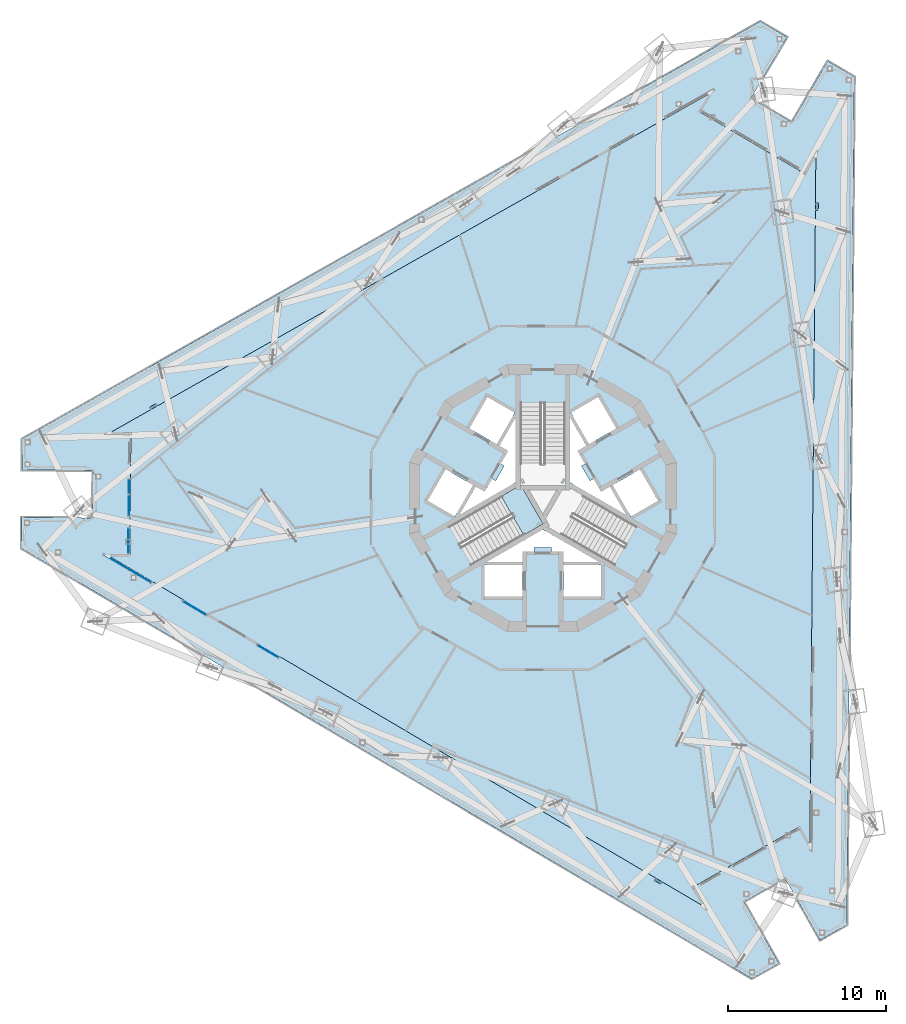
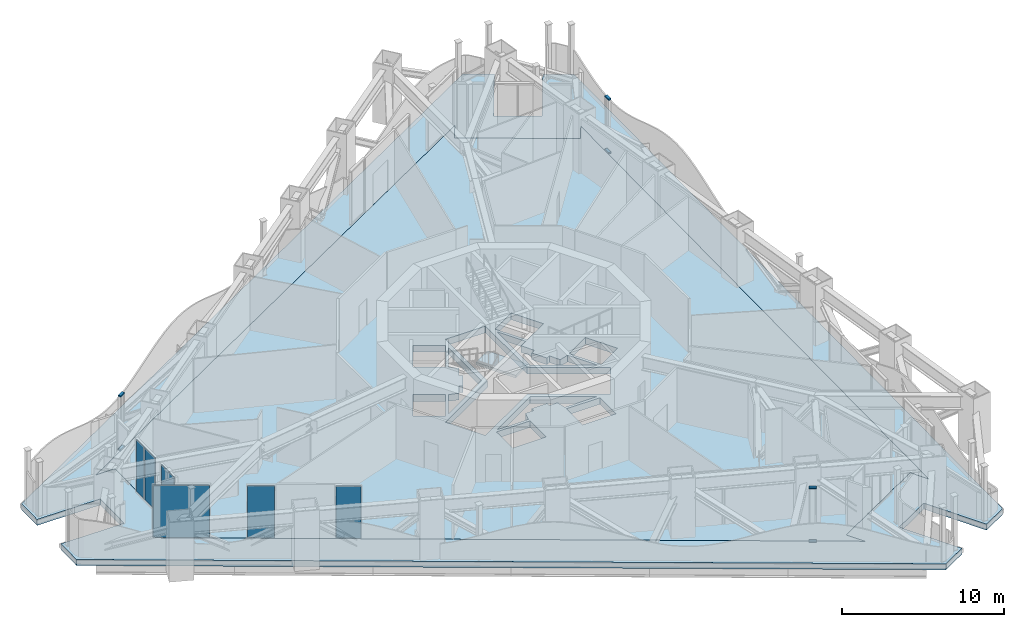
# One storey, part 8 of 27: 6 members, 6 plates, 3 slabs, 9 elements without a shape of their own.
"""IFC4 building model written with IfcOpenShell, lengths in metres."""

from ifc_helpers import new_model, si_unit, direction, frame, origin, origin_2d, place, context, subcontext, project, spatial, polyline, rectangle, outline, extrude, material, layer, layer_set, material_profile, profile_set, type_object, element, aggregate, save


model = new_model("IFC4")

# Units and contexts
model_context = context("Model", 3, precision=1e-05, world=origin(), true_north=direction((0.0, 1.0)))
body_context = subcontext(model_context, "Body", "Model", "MODEL_VIEW")
ifc_project = project(units=[si_unit("LENGTHUNIT", "METRE"), si_unit("AREAUNIT", "SQUARE_METRE"), si_unit("VOLUMEUNIT", "CUBIC_METRE"), si_unit("PLANEANGLEUNIT", "RADIAN"), si_unit("MASSUNIT", "GRAM", prefix="KILO")], contexts=[model_context])

# Site, building, storey
site_placement = place(None, origin())
site = spatial("IfcSite", under=ifc_project, at=site_placement, CompositionType="ELEMENT")
building_placement = place(site_placement, origin())
building = spatial("IfcBuilding", under=site, at=building_placement, Name="Trine Commons Tower", CompositionType="ELEMENT")
storey_placement = place(building_placement, frame((0.0, 0.0, 193.5)))
storey = spatial("IfcBuildingStorey", under=building, at=storey_placement, Name="L50", CompositionType="ELEMENT", Elevation=193.5)

# Curtain wall, members
ifc_material_1 = material(Name="Sky lounge glazing: anodised aluminium frame with low-emissivity double glazed unit, solar control", Category="aluminium")
ifc_layer_1 = layer(ifc_material_1, 0.179931640625)
ifc_layer_set_1 = layer_set([ifc_layer_1], Name="Sky lounge glazing: anodised aluminium frame with low-emissivity double glazed unit, solar control")
curtain_wall_type = type_object("IfcCurtainWallType", Name="Sky lounge glazing curtain wall CW5", PredefinedType="NOTDEFINED", material=ifc_layer_set_1)
curtain_wall_1_placement = place(storey_placement, origin())
curtain_wall_1 = element("IfcCurtainWall", 1, at=curtain_wall_1_placement, inside=storey, type_object=curtain_wall_type, Name="Sky lounge glazing L50 F1.1", PredefinedType="NOTDEFINED")
ifc_material_2 = material(Name="Anodised aluminium, bronze finish", Category="aluminium")
ifc_material_profile = material_profile(ifc_material_2, rectangle(XDim=0.179931640625, YDim=0.110107421875, at=origin_2d()), Name="Transom 110x180")
ifc_profile_set = profile_set([ifc_material_profile], Name="Anodised aluminium, bronze finish")
member_type = type_object("IfcMemberType", Name="Transom 110x180, Anodised aluminium, bronze finish", PredefinedType="USERDEFINED", material=ifc_profile_set)
member_1_placement = place(storey_placement, frame((55.087890625, 68.19921875, 0.054931640625), z_axis=(0.870475610061, 0.492211552372, 0.0), x_axis=(-0.492211552372, 0.870475610061, 0.0)))
member_1 = element("IfcMember", 2, at=member_1_placement, type_object=member_type, Name="CW5 transom T00", ObjectType="TRANSOM", PredefinedType="USERDEFINED", context=body_context, shape_type="SweptSolid", body=[
    extrude(rectangle(XDim=0.179931640625, YDim=0.110107421875, at=origin_2d()), origin(), (0.0, 0.0, 1.0), 0.46923828125),
])
member_2_placement = place(storey_placement, frame((55.087890625, 68.19921875, 4.094970703125), z_axis=(0.870475610061, 0.492211552372, 0.0), x_axis=(-0.492211552372, 0.870475610061, 0.0)))
member_2 = element("IfcMember", 3, at=member_2_placement, type_object=member_type, Name="CW5 transom TH00", ObjectType="TRANSOM", PredefinedType="USERDEFINED", context=body_context, shape_type="SweptSolid", body=[
    extrude(rectangle(XDim=0.179931640625, YDim=0.110107421875, at=origin_2d()), origin(), (0.0, 0.0, 1.0), 0.46923828125),
])
aggregate(curtain_wall_1, [member_1, member_2])

curtain_wall_2_placement = place(storey_placement, origin())
curtain_wall_2 = element("IfcCurtainWall", 4, at=curtain_wall_2_placement, inside=storey, type_object=curtain_wall_type, Name="Sky lounge glazing L50 F2.1", PredefinedType="NOTDEFINED")
member_3_placement = place(storey_placement, frame((97.3916015625, 81.22509765625, 0.054931640625), z_axis=(-0.008840008189, -0.999960926364, 0.0), x_axis=(0.999960926364, -0.008840008189, 0.0)))
member_3 = element("IfcMember", 5, at=member_3_placement, type_object=member_type, Name="CW5 transom T00", ObjectType="TRANSOM", PredefinedType="USERDEFINED", context=body_context, shape_type="SweptSolid", body=[
    extrude(rectangle(XDim=0.179931640625, YDim=0.110107421875, at=origin_2d()), origin(), (0.0, 0.0, 1.0), 0.469482421875),
])
member_4_placement = place(storey_placement, frame((97.3916015625, 81.22509765625, 4.094970703125), z_axis=(-0.008840008189, -0.999960926364, 0.0), x_axis=(0.999960926364, -0.008840008189, 0.0)))
member_4 = element("IfcMember", 6, at=member_4_placement, type_object=member_type, Name="CW5 transom TH00", ObjectType="TRANSOM", PredefinedType="USERDEFINED", context=body_context, shape_type="SweptSolid", body=[
    extrude(rectangle(XDim=0.179931640625, YDim=0.110107421875, at=origin_2d()), origin(), (0.0, 0.0, 1.0), 0.469482421875),
])
aggregate(curtain_wall_2, [member_3, member_4])

curtain_wall_3_placement = place(storey_placement, origin())
curtain_wall_3 = element("IfcCurtainWall", 7, at=curtain_wall_3_placement, inside=storey, type_object=curtain_wall_type, Name="Sky lounge glazing L50 F3.1", PredefinedType="NOTDEFINED")
member_5_placement = place(storey_placement, frame((87.5205078125, 38.075927734375, 0.054931640625), z_axis=(-0.861505952902, 0.507747469826, 0.0), x_axis=(-0.507747469826, -0.861505952902, 0.0)))
member_5 = element("IfcMember", 8, at=member_5_placement, type_object=member_type, Name="CW5 transom T00", ObjectType="TRANSOM", PredefinedType="USERDEFINED", context=body_context, shape_type="SweptSolid", body=[
    extrude(rectangle(XDim=0.179931640625, YDim=0.110107421875, at=origin_2d()), origin(), (0.0, 0.0, 1.0), 0.46923828125),
])
member_6_placement = place(storey_placement, frame((87.5205078125, 38.075927734375, 4.094970703125), z_axis=(-0.861505952902, 0.507747469826, 0.0), x_axis=(-0.507747469826, -0.861505952902, 0.0)))
member_6 = element("IfcMember", 9, at=member_6_placement, type_object=member_type, Name="CW5 transom TH00", ObjectType="TRANSOM", PredefinedType="USERDEFINED", context=body_context, shape_type="SweptSolid", body=[
    extrude(rectangle(XDim=0.179931640625, YDim=0.110107421875, at=origin_2d()), origin(), (0.0, 0.0, 1.0), 0.46923828125),
])
aggregate(curtain_wall_3, [member_5, member_6])

# Curtain wall, plate
curtain_wall_4_placement = place(storey_placement, origin())
curtain_wall_4 = element("IfcCurtainWall", 10, at=curtain_wall_4_placement, inside=storey, type_object=curtain_wall_type, Name="Sky lounge glazing L50 P1.1", PredefinedType="NOTDEFINED")
ifc_material_3 = material(Name="Low-emissivity double glazed unit, solar control")
ifc_layer_2 = layer(ifc_material_3, 0.031982421875)
ifc_layer_set_2 = layer_set([ifc_layer_2], Name="Low-emissivity double glazed unit, solar control")
plate_type = type_object("IfcPlateType", Name="Double glazed unit 32 mm (sky floors)", PredefinedType="CURTAIN_PANEL", material=ifc_layer_set_2)
plate_1_placement = place(storey_placement, frame((53.710205078125, 59.796142578125, 0.10986328125), z_axis=(0.0, 0.0, 1.0), x_axis=(0.008726535498, 0.999961923064, 0.0)))
plate_1 = element("IfcPlate", 11, at=plate_1_placement, type_object=plate_type, Name="CW5 panel 1.1", PredefinedType="CURTAIN_PANEL", context=body_context, shape_type="SweptSolid", body=[
    extrude(rectangle(XDim=1.58349609375, YDim=0.031982421875, at=origin_2d()), origin(), (0.0, 0.0, 1.0), 3.929931640625),
])
aggregate(curtain_wall_4, [plate_1])

# Curtain wall, plates
curtain_wall_5_placement = place(storey_placement, origin())
curtain_wall_5 = element("IfcCurtainWall", 12, at=curtain_wall_5_placement, inside=storey, type_object=curtain_wall_type, Name="Sky lounge glazing L50 P1.2", PredefinedType="NOTDEFINED")
plate_2_placement = place(storey_placement, frame((53.72998046875, 62.034423828125, 0.10986328125), z_axis=(0.0, 0.0, 1.0), x_axis=(0.008726535498, 0.999961923064, 0.0)))
plate_2 = element("IfcPlate", 13, at=plate_2_placement, type_object=plate_type, Name="CW5 panel 1.1", PredefinedType="CURTAIN_PANEL", context=body_context, shape_type="SweptSolid", body=[
    extrude(rectangle(XDim=1.314453125, YDim=0.031982421875, at=origin_2d()), origin(), (0.0, 0.0, 1.0), 3.929931640625),
])
plate_3_placement = place(storey_placement, frame((53.740234375, 63.23291015625, 0.10986328125), z_axis=(0.0, 0.0, 1.0), x_axis=(0.008726535498, 0.999961923064, 0.0)))
plate_3 = element("IfcPlate", 14, at=plate_3_placement, type_object=plate_type, Name="CW5 panel 2.1", PredefinedType="CURTAIN_PANEL", context=body_context, shape_type="SweptSolid", body=[
    extrude(rectangle(XDim=0.9326171875, YDim=0.031982421875, at=origin_2d()), origin(), (0.0, 0.0, 1.0), 3.929931640625),
])
aggregate(curtain_wall_5, [plate_2, plate_3])

# Curtain wall, plate
curtain_wall_6_placement = place(storey_placement, origin())
curtain_wall_6 = element("IfcCurtainWall", 15, at=curtain_wall_6_placement, inside=storey, type_object=curtain_wall_type, Name="Sky lounge glazing L50 F3.2", PredefinedType="NOTDEFINED")
plate_4_placement = place(storey_placement, frame((62.556396484375, 52.781005859375, 0.10986328125), z_axis=(0.0, 0.0, 1.0), x_axis=(-0.861629160442, 0.507538362961, 0.0)))
plate_4 = element("IfcPlate", 16, at=plate_4_placement, type_object=plate_type, Name="CW5 panel 1.1", PredefinedType="CURTAIN_PANEL", context=body_context, shape_type="SweptSolid", body=[
    extrude(rectangle(XDim=1.5390625, YDim=0.031982421875, at=origin_2d()), origin(), (0.0, 0.0, 1.0), 3.929931640625),
])
aggregate(curtain_wall_6, [plate_4])

curtain_wall_7_placement = place(storey_placement, origin())
curtain_wall_7 = element("IfcCurtainWall", 17, at=curtain_wall_7_placement, inside=storey, type_object=curtain_wall_type, Name="Sky lounge glazing L50 F3.3", PredefinedType="NOTDEFINED")
plate_5_placement = place(storey_placement, frame((57.893798828125, 55.52734375, 0.10986328125), z_axis=(0.0, 0.0, 1.0), x_axis=(-0.861629160442, 0.507538362961, 0.0)))
plate_5 = element("IfcPlate", 18, at=plate_5_placement, type_object=plate_type, Name="CW5 panel 1.1", PredefinedType="CURTAIN_PANEL", context=body_context, shape_type="SweptSolid", body=[
    extrude(rectangle(XDim=1.688720703125, YDim=0.031982421875, at=origin_2d()), origin(), (0.0, 0.0, 1.0), 3.929931640625),
])
aggregate(curtain_wall_7, [plate_5])

curtain_wall_8_placement = place(storey_placement, origin())
curtain_wall_8 = element("IfcCurtainWall", 19, at=curtain_wall_8_placement, inside=storey, type_object=curtain_wall_type, Name="Sky lounge glazing L50 F3.4", PredefinedType="NOTDEFINED")
plate_6_placement = place(storey_placement, frame((53.64599609375, 58.029541015625, 0.10986328125), z_axis=(0.0, 0.0, 1.0), x_axis=(-0.861629160442, 0.507538362961, 0.0)))
plate_6 = element("IfcPlate", 20, at=plate_6_placement, type_object=plate_type, Name="CW5 panel 1.1", PredefinedType="CURTAIN_PANEL", context=body_context, shape_type="SweptSolid", body=[
    extrude(rectangle(XDim=3.48583984375, YDim=0.031982421875, at=origin_2d()), origin(), (0.0, 0.0, 1.0), 3.929931640625),
])
aggregate(curtain_wall_8, [plate_6])

# Slab
ifc_material_4 = material(Name="Concrete C40/50", Category="concrete")
ifc_layer_3 = layer(ifc_material_4, 0.449951171875)
ifc_layer_set_3 = layer_set([ifc_layer_3], Name="Concrete C40/50")
slab_type_1 = type_object("IfcSlabType", Name="Loggia slab 450 mm, C40/50", PredefinedType="FLOOR", material=ifc_layer_set_3)
slab_1_placement = place(storey_placement, frame((0.0, 0.0, -0.449951171875)))
element("IfcSlab", 21, at=slab_1_placement, inside=storey, type_object=slab_type_1, Name="Loggia slab L50", PredefinedType="FLOOR", context=body_context, shape_type="SweptSolid", body=[
    extrude(outline(polyline([(99.302001953125, 35.418701171875), (99.771484375, 89.240234375), (98.079345703125, 90.237060546875), (95.79541015625, 86.35986328125), (93.21044921875, 87.88232421875), (95.494384765625, 91.759765625), (93.802001953125, 92.756591796875), (46.956298828125, 66.252685546875), (46.939208984375, 64.28857421875), (51.439208984375, 64.249267578125), (51.412841796875, 61.24951171875), (46.9130859375, 61.288818359375), (46.89599609375, 59.32470703125), (93.27197265625, 32.007080078125), (94.9814453125, 32.974365234375), (92.765380859375, 36.890869140625), (95.376708984375, 38.3681640625), (97.592529296875, 34.45166015625), (99.302001953125, 35.418701171875)]), holes=[polyline([(90.156982421875, 36.627197265625), (89.494873046875, 37.7978515625), (96.28369140625, 41.638916015625), (96.94580078125, 40.46826171875), (97.327880859375, 84.232666015625), (96.645263671875, 83.07373046875), (89.924560546875, 87.03271484375), (90.607177734375, 88.19140625), (52.514892578125, 66.639892578125), (53.860107421875, 66.62841796875), (53.7919921875, 58.82861328125), (52.447021484375, 58.84033203125), (90.156982421875, 36.627197265625)])]), origin(), (0.0, 0.0, 1.0), 0.449951171875),
])

# Stair, slab
ifc_material_5 = material(Name="Concrete C50/60", Category="concrete")
stair_type = type_object("IfcStairType", Name="Exit stair, dog-leg, 30 risers of 150 mm", PredefinedType="HALF_TURN_STAIR", material=ifc_material_5)
stair_placement = place(storey_placement, origin())
stair = element("IfcStair", 22, at=stair_placement, inside=storey, type_object=stair_type, Name="L50 Exit stair ST2C", PredefinedType="HALF_TURN_STAIR")
ifc_layer_4 = layer(ifc_material_5, 0.199951171875)
ifc_layer_set_4 = layer_set([ifc_layer_4], Name="Concrete C50/60")
slab_type_2 = type_object("IfcSlabType", Name="Stair landing slab 200 mm, C50/60", PredefinedType="LANDING", material=ifc_layer_set_4)
slab_2_placement = place(storey_placement, frame((0.0, 0.0, 2.050048828125)))
slab_2 = element("IfcSlab", 23, at=slab_2_placement, type_object=slab_type_2, Name="ST2C landing 1", PredefinedType="LANDING", context=body_context, shape_type="SweptSolid", body=[
    extrude(outline(polyline([(78.78076171875, 60.150634765625), (80.019287109375, 60.86572265625), (78.59423828125, 63.333740234375), (77.355712890625, 62.618896484375), (78.78076171875, 60.150634765625)])), origin(), (0.0, 0.0, 1.0), 0.199951171875),
])
aggregate(stair, [slab_2])

# Slab
ifc_layer_5 = layer(ifc_material_4, 0.5)
ifc_layer_set_5 = layer_set([ifc_layer_5], Name="Concrete C40/50")
slab_type_3 = type_object("IfcSlabType", Name="Transfer floor slab 500 mm, C40/50", PredefinedType="FLOOR", material=ifc_layer_set_5)
slab_3_placement = place(storey_placement, frame((0.0, 0.0, -0.5)))
element("IfcSlab", 24, at=slab_3_placement, inside=storey, type_object=slab_type_3, Name="Floor slab L50", PredefinedType="FLOOR", context=body_context, shape_type="SweptSolid", body=[
    extrude(outline(polyline([(52.447021484375, 58.84033203125), (90.156982421875, 36.627197265625), (89.494873046875, 37.7978515625), (96.28369140625, 41.638916015625), (96.94580078125, 40.46826171875), (97.327880859375, 84.232666015625), (96.645263671875, 83.07373046875), (89.924560546875, 87.03271484375), (90.607177734375, 88.19140625), (52.514892578125, 66.639892578125), (53.860107421875, 66.62841796875), (53.7919921875, 58.82861328125), (52.447021484375, 58.84033203125)]), holes=[polyline([(78.699951171875, 56.25), (78.699951171875, 58.25), (76.300048828125, 58.25), (76.300048828125, 56.25), (78.699951171875, 56.25)]), polyline([(80.0, 60.8544921875), (84.4755859375, 58.2705078125), (85.900390625, 60.73876953125), (81.425048828125, 63.32275390625), (81.425048828125, 68.490478515625), (78.574951171875, 68.490478515625), (78.574951171875, 63.32275390625), (74.099609375, 60.73876953125), (75.5244140625, 58.2705078125), (80.0, 60.8544921875)]), polyline([(73.83740234375, 64.325927734375), (72.687255859375, 62.333984375), (74.41943359375, 61.333984375), (75.5693359375, 63.325927734375), (73.83740234375, 64.325927734375)]), polyline([(76.381103515625, 63.031005859375), (75.742919921875, 63.22607421875), (74.7099609375, 61.43798828125), (78.27490234375, 63.49609375), (78.27490234375, 67.612060546875), (77.242919921875, 65.823974609375), (77.73095703125, 65.368896484375), (77.3310546875, 64.676025390625), (77.555908203125, 64.5458984375), (77.006103515625, 63.593994140625), (76.781005859375, 63.722900390625), (76.381103515625, 63.031005859375)]), polyline([(76.4873046875, 68.916015625), (75.33740234375, 66.924072265625), (77.0693359375, 65.924072265625), (78.219482421875, 67.916015625), (76.4873046875, 68.916015625)]), polyline([(83.699951171875, 56.25), (83.699951171875, 58.25), (81.300048828125, 58.25), (81.300048828125, 56.25), (83.699951171875, 56.25)]), polyline([(81.14990234375, 59.10009765625), (81.300048828125, 58.449951171875), (83.56494140625, 58.449951171875), (80.0, 60.508056640625), (76.43505859375, 58.449951171875), (78.699951171875, 58.449951171875), (78.85009765625, 59.10009765625), (79.449951171875, 59.10009765625), (79.449951171875, 59.360107421875), (80.550048828125, 59.360107421875), (80.550048828125, 59.10009765625), (81.14990234375, 59.10009765625)]), polyline([(86.16259765625, 64.325927734375), (84.4306640625, 63.325927734375), (85.58056640625, 61.333984375), (87.312744140625, 62.333984375), (86.16259765625, 64.325927734375)]), polyline([(83.243896484375, 63.738037109375), (82.993896484375, 63.593994140625), (82.444091796875, 64.5458984375), (82.72705078125, 64.7099609375), (82.281005859375, 65.549072265625), (82.757080078125, 65.823974609375), (81.72509765625, 67.612060546875), (81.72509765625, 63.49609375), (85.2900390625, 61.43798828125), (84.257080078125, 63.22607421875), (83.618896484375, 63.031005859375), (83.243896484375, 63.738037109375)]), polyline([(84.66259765625, 66.924072265625), (83.5126953125, 68.916015625), (81.780517578125, 67.916015625), (82.9306640625, 65.924072265625), (84.66259765625, 66.924072265625)])]), origin(), (0.0, 0.0, 1.0), 0.5),
])

save(model, "model.ifc")
